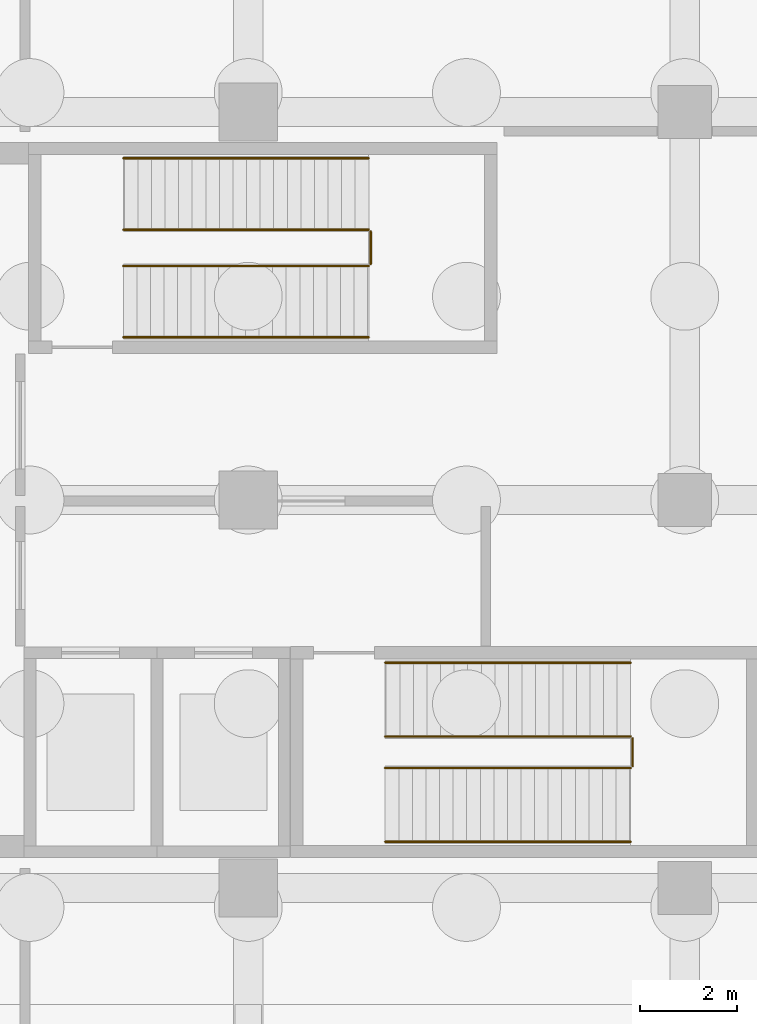
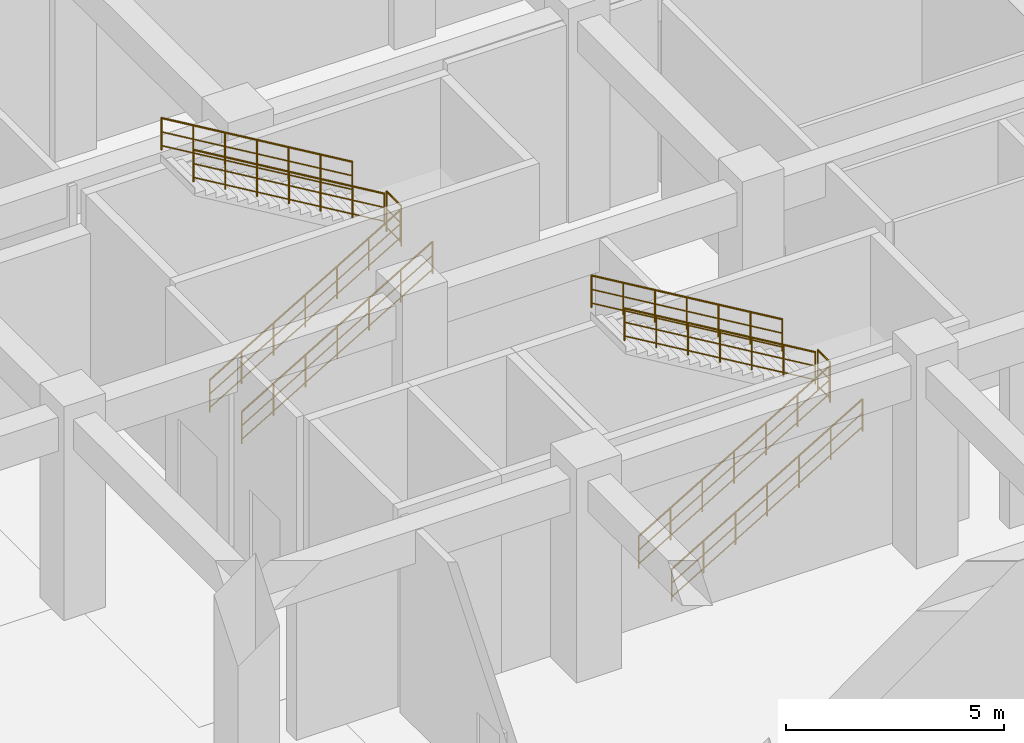
# One storey, part 16 of 18: 10 railings.
"""IFC4 building model written with IfcOpenShell, lengths in metres."""

from ifc_helpers import new_model, si_unit, derived_unit, direction, frame, origin, origin_2d, place, context, subcontext, project, spatial, circle, extrude, material, type_object, element, save


model = new_model("IFC4")

# Units and contexts
model_context = context("Model", 3, precision=1e-05, world=origin(), true_north=direction((0.0, 1.0)))
body_context = subcontext(model_context, "Body", "Model", "MODEL_VIEW")
ifc_project = project(units=[si_unit("LENGTHUNIT", "METRE"), si_unit("AREAUNIT", "SQUARE_METRE"), si_unit("VOLUMEUNIT", "CUBIC_METRE"), si_unit("PLANEANGLEUNIT", "RADIAN"), si_unit("MASSUNIT", "GRAM", prefix="KILO"), derived_unit("THERMALTRANSMITTANCEUNIT", [(si_unit("MASSUNIT", "GRAM", prefix="KILO"), 1), (si_unit("TIMEUNIT", "SECOND"), -3), (si_unit("THERMODYNAMICTEMPERATUREUNIT", "KELVIN"), -1)])], contexts=[model_context])

# Site, building, storey
site_placement = place(None, origin())
site = spatial("IfcSite", under=ifc_project, at=site_placement, CompositionType="ELEMENT")
building_placement = place(site_placement, origin())
building = spatial("IfcBuilding", under=site, at=building_placement, Name="Zhenchuan Archway Interchange", CompositionType="ELEMENT")
storey_placement = place(building_placement, frame((0.0, 0.0, -12.0)))
storey = spatial("IfcBuildingStorey", under=building, at=storey_placement, Name="B2", CompositionType="ELEMENT", Elevation=-12.0)

# Railings
ifc_material_1 = material(Name="Painted Galvanised Steel", Category="steel")
railing_type_1 = type_object("IfcRailingType", Name="RL_GUARD_1150", PredefinedType="GUARDRAIL", material=ifc_material_1)
railing_1_placement = place(storey_placement, frame((155.52490234375, 60.864990234375, 3.0)))
element("IfcRailing", 1, at=railing_1_placement, inside=storey, type_object=railing_type_1, Name="Stair ST-O1 half-landing slot guard (B2)", PredefinedType="GUARDRAIL", context=body_context, shape_type="SweptSolid", body=[
    extrude(circle(Radius=0.02392578125, at=origin_2d()), frame((0.0, 0.0, 1.1259765625), z_axis=(0.0, 1.0, 0.0), x_axis=(-1.0, 0.0, 0.0)), (0.0, 0.0, 1.0), 0.669921875),
    extrude(circle(Radius=0.01611328125, at=origin_2d()), frame((0.0, 0.0, 0.63232421875), z_axis=(0.0, 1.0, 0.0), x_axis=(-1.0, 0.0, 0.0)), (0.0, 0.0, 1.0), 0.669921875),
    extrude(circle(Radius=0.01611328125, at=origin_2d()), frame((0.0, 0.0, 0.1201171875), z_axis=(0.0, 1.0, 0.0), x_axis=(-1.0, 0.0, 0.0)), (0.0, 0.0, 1.0), 0.669921875),
    extrude(circle(Radius=0.02099609375, at=origin_2d()), origin(), (0.0, 0.0, 1.0), 1.1259765625),
    extrude(circle(Radius=0.02099609375, at=origin_2d()), frame((0.0, 0.669921875, 0.0)), (0.0, 0.0, 1.0), 1.1259765625),
])
railing_2_placement = place(storey_placement, frame((160.925048828125, 50.514892578125, 3.0)))
element("IfcRailing", 2, at=railing_2_placement, inside=storey, type_object=railing_type_1, Name="Stair ST-O2 half-landing slot guard (B2)", PredefinedType="GUARDRAIL", context=body_context, shape_type="SweptSolid", body=[
    extrude(circle(Radius=0.02392578125, at=origin_2d()), frame((0.0, 0.0, 1.1259765625), z_axis=(0.0, 1.0, 0.0), x_axis=(-1.0, 0.0, 0.0)), (0.0, 0.0, 1.0), 0.570068359375),
    extrude(circle(Radius=0.01611328125, at=origin_2d()), frame((0.0, 0.0, 0.63232421875), z_axis=(0.0, 1.0, 0.0), x_axis=(-1.0, 0.0, 0.0)), (0.0, 0.0, 1.0), 0.570068359375),
    extrude(circle(Radius=0.01611328125, at=origin_2d()), frame((0.0, 0.0, 0.1201171875), z_axis=(0.0, 1.0, 0.0), x_axis=(-1.0, 0.0, 0.0)), (0.0, 0.0, 1.0), 0.570068359375),
    extrude(circle(Radius=0.02099609375, at=origin_2d()), origin(), (0.0, 0.0, 1.0), 1.1259765625),
    extrude(circle(Radius=0.02099609375, at=origin_2d()), frame((0.0, 0.570068359375, 0.0)), (0.0, 0.0, 1.0), 1.1259765625),
])
ifc_material_2 = material(Name="Stainless Steel 304", Category="steel")
railing_type_2 = type_object("IfcRailingType", Name="RL_HAND_920", PredefinedType="HANDRAIL", material=ifc_material_2)
for number, where, name in (
    (3, (150.425048828125, 59.35498046875, 0.157958984375), "Stair ST-O1 handrail 1 (B2)"),
    (4, (150.425048828125, 60.824951171875, 0.157958984375), "Stair ST-O1 handrail 2 (B2)"),
):
    element("IfcRailing", number, at=place(storey_placement, frame(where)), inside=storey, type_object=railing_type_2, Name=name, PredefinedType="HANDRAIL", context=body_context, shape_type="SweptSolid", body=[
        extrude(circle(Radius=0.02392578125, at=origin_2d()), frame((0.0, 0.0, 0.89599609375), z_axis=(0.860183649657, 0.0, 0.509984400607), x_axis=(0.0, 1.0, 0.0)), (0.0, 0.0, 1.0), 5.882568359375),
        extrude(circle(Radius=0.01611328125, at=origin_2d()), frame((0.0, 0.0, 0.505859375), z_axis=(0.860183649657, 0.0, 0.509984400607), x_axis=(0.0, 1.0, 0.0)), (0.0, 0.0, 1.0), 5.882568359375),
        extrude(circle(Radius=0.01611328125, at=origin_2d()), frame((0.0, 0.0, 0.1201171875), z_axis=(0.860183649657, 0.0, 0.509984400607), x_axis=(0.0, 1.0, 0.0)), (0.0, 0.0, 1.0), 5.882568359375),
        extrude(circle(Radius=0.02099609375, at=origin_2d()), origin(), (0.0, 0.0, 1.0), 0.89599609375),
        extrude(circle(Radius=0.02099609375, at=origin_2d()), frame((0.84326171875, 0.0, 0.5)), (0.0, 0.0, 1.0), 0.89599609375),
        extrude(circle(Radius=0.02099609375, at=origin_2d()), frame((1.686767578125, 0.0, 1.0)), (0.0, 0.0, 1.0), 0.89599609375),
        extrude(circle(Radius=0.02099609375, at=origin_2d()), frame((2.530029296875, 0.0, 1.5)), (0.0, 0.0, 1.0), 0.89599609375),
        extrude(circle(Radius=0.02099609375, at=origin_2d()), frame((3.373291015625, 0.0, 2.0)), (0.0, 0.0, 1.0), 0.89599609375),
        extrude(circle(Radius=0.02099609375, at=origin_2d()), frame((4.216796875, 0.0, 2.5)), (0.0, 0.0, 1.0), 0.89599609375),
        extrude(circle(Radius=0.02099609375, at=origin_2d()), frame((5.06005859375, 0.0, 3.0)), (0.0, 0.0, 1.0), 0.89599609375),
    ])
for number, where, name in (
    (5, (155.485107421875, 61.574951171875, 3.157958984375), "Stair ST-O1 handrail 3 (B2)"),
    (6, (155.485107421875, 63.044921875, 3.157958984375), "Stair ST-O1 handrail 4 (B2)"),
):
    element("IfcRailing", number, at=place(storey_placement, frame(where)), inside=storey, type_object=railing_type_2, Name=name, PredefinedType="HANDRAIL", context=body_context, shape_type="SweptSolid", body=[
        extrude(circle(Radius=0.02392578125, at=origin_2d()), frame((0.0, 0.0, 0.89599609375), z_axis=(-0.860183649657, 0.0, 0.509984400607), x_axis=(0.0, -1.0, 0.0)), (0.0, 0.0, 1.0), 5.882568359375),
        extrude(circle(Radius=0.01611328125, at=origin_2d()), frame((0.0, 0.0, 0.505859375), z_axis=(-0.860183649657, 0.0, 0.509984400607), x_axis=(0.0, -1.0, 0.0)), (0.0, 0.0, 1.0), 5.882568359375),
        extrude(circle(Radius=0.01611328125, at=origin_2d()), frame((0.0, 0.0, 0.1201171875), z_axis=(-0.860183649657, 0.0, 0.509984400607), x_axis=(0.0, -1.0, 0.0)), (0.0, 0.0, 1.0), 5.882568359375),
        extrude(circle(Radius=0.02099609375, at=origin_2d()), origin(), (0.0, 0.0, 1.0), 0.89599609375),
        extrude(circle(Radius=0.02099609375, at=origin_2d()), frame((-0.84326171875, 0.0, 0.5)), (0.0, 0.0, 1.0), 0.89599609375),
        extrude(circle(Radius=0.02099609375, at=origin_2d()), frame((-1.686767578125, 0.0, 1.0)), (0.0, 0.0, 1.0), 0.89599609375),
        extrude(circle(Radius=0.02099609375, at=origin_2d()), frame((-2.530029296875, 0.0, 1.5)), (0.0, 0.0, 1.0), 0.89599609375),
        extrude(circle(Radius=0.02099609375, at=origin_2d()), frame((-3.373291015625, 0.0, 2.0)), (0.0, 0.0, 1.0), 0.89599609375),
        extrude(circle(Radius=0.02099609375, at=origin_2d()), frame((-4.216796875, 0.0, 2.5)), (0.0, 0.0, 1.0), 0.89599609375),
        extrude(circle(Radius=0.02099609375, at=origin_2d()), frame((-5.06005859375, 0.0, 3.0)), (0.0, 0.0, 1.0), 0.89599609375),
    ])
for number, where, name in (
    (7, (155.824951171875, 48.955078125, 0.157958984375), "Stair ST-O2 handrail 1 (B2)"),
    (8, (155.824951171875, 50.47509765625, 0.157958984375), "Stair ST-O2 handrail 2 (B2)"),
):
    element("IfcRailing", number, at=place(storey_placement, frame(where)), inside=storey, type_object=railing_type_2, Name=name, PredefinedType="HANDRAIL", context=body_context, shape_type="SweptSolid", body=[
        extrude(circle(Radius=0.02392578125, at=origin_2d()), frame((0.0, 0.0, 0.89599609375), z_axis=(0.860183649657, 0.0, 0.509984400607), x_axis=(0.0, 1.0, 0.0)), (0.0, 0.0, 1.0), 5.882568359375),
        extrude(circle(Radius=0.01611328125, at=origin_2d()), frame((0.0, 0.0, 0.505859375), z_axis=(0.860183649657, 0.0, 0.509984400607), x_axis=(0.0, 1.0, 0.0)), (0.0, 0.0, 1.0), 5.882568359375),
        extrude(circle(Radius=0.01611328125, at=origin_2d()), frame((0.0, 0.0, 0.1201171875), z_axis=(0.860183649657, 0.0, 0.509984400607), x_axis=(0.0, 1.0, 0.0)), (0.0, 0.0, 1.0), 5.882568359375),
        extrude(circle(Radius=0.02099609375, at=origin_2d()), origin(), (0.0, 0.0, 1.0), 0.89599609375),
        extrude(circle(Radius=0.02099609375, at=origin_2d()), frame((0.84326171875, 0.0, 0.5)), (0.0, 0.0, 1.0), 0.89599609375),
        extrude(circle(Radius=0.02099609375, at=origin_2d()), frame((1.686767578125, 0.0, 1.0)), (0.0, 0.0, 1.0), 0.89599609375),
        extrude(circle(Radius=0.02099609375, at=origin_2d()), frame((2.530029296875, 0.0, 1.5)), (0.0, 0.0, 1.0), 0.89599609375),
        extrude(circle(Radius=0.02099609375, at=origin_2d()), frame((3.373291015625, 0.0, 2.0)), (0.0, 0.0, 1.0), 0.89599609375),
        extrude(circle(Radius=0.02099609375, at=origin_2d()), frame((4.216796875, 0.0, 2.5)), (0.0, 0.0, 1.0), 0.89599609375),
        extrude(circle(Radius=0.02099609375, at=origin_2d()), frame((5.06005859375, 0.0, 3.0)), (0.0, 0.0, 1.0), 0.89599609375),
    ])
for number, where, name in (
    (9, (160.885009765625, 51.125, 3.157958984375), "Stair ST-O2 handrail 3 (B2)"),
    (10, (160.885009765625, 52.64501953125, 3.157958984375), "Stair ST-O2 handrail 4 (B2)"),
):
    element("IfcRailing", number, at=place(storey_placement, frame(where)), inside=storey, type_object=railing_type_2, Name=name, PredefinedType="HANDRAIL", context=body_context, shape_type="SweptSolid", body=[
        extrude(circle(Radius=0.02392578125, at=origin_2d()), frame((0.0, 0.0, 0.89599609375), z_axis=(-0.860183649657, 0.0, 0.509984400607), x_axis=(0.0, -1.0, 0.0)), (0.0, 0.0, 1.0), 5.882568359375),
        extrude(circle(Radius=0.01611328125, at=origin_2d()), frame((0.0, 0.0, 0.505859375), z_axis=(-0.860183649657, 0.0, 0.509984400607), x_axis=(0.0, -1.0, 0.0)), (0.0, 0.0, 1.0), 5.882568359375),
        extrude(circle(Radius=0.01611328125, at=origin_2d()), frame((0.0, 0.0, 0.1201171875), z_axis=(-0.860183649657, 0.0, 0.509984400607), x_axis=(0.0, -1.0, 0.0)), (0.0, 0.0, 1.0), 5.882568359375),
        extrude(circle(Radius=0.02099609375, at=origin_2d()), origin(), (0.0, 0.0, 1.0), 0.89599609375),
        extrude(circle(Radius=0.02099609375, at=origin_2d()), frame((-0.84326171875, 0.0, 0.5)), (0.0, 0.0, 1.0), 0.89599609375),
        extrude(circle(Radius=0.02099609375, at=origin_2d()), frame((-1.686767578125, 0.0, 1.0)), (0.0, 0.0, 1.0), 0.89599609375),
        extrude(circle(Radius=0.02099609375, at=origin_2d()), frame((-2.530029296875, 0.0, 1.5)), (0.0, 0.0, 1.0), 0.89599609375),
        extrude(circle(Radius=0.02099609375, at=origin_2d()), frame((-3.373291015625, 0.0, 2.0)), (0.0, 0.0, 1.0), 0.89599609375),
        extrude(circle(Radius=0.02099609375, at=origin_2d()), frame((-4.216796875, 0.0, 2.5)), (0.0, 0.0, 1.0), 0.89599609375),
        extrude(circle(Radius=0.02099609375, at=origin_2d()), frame((-5.06005859375, 0.0, 3.0)), (0.0, 0.0, 1.0), 0.89599609375),
    ])

save(model, "model.ifc")
